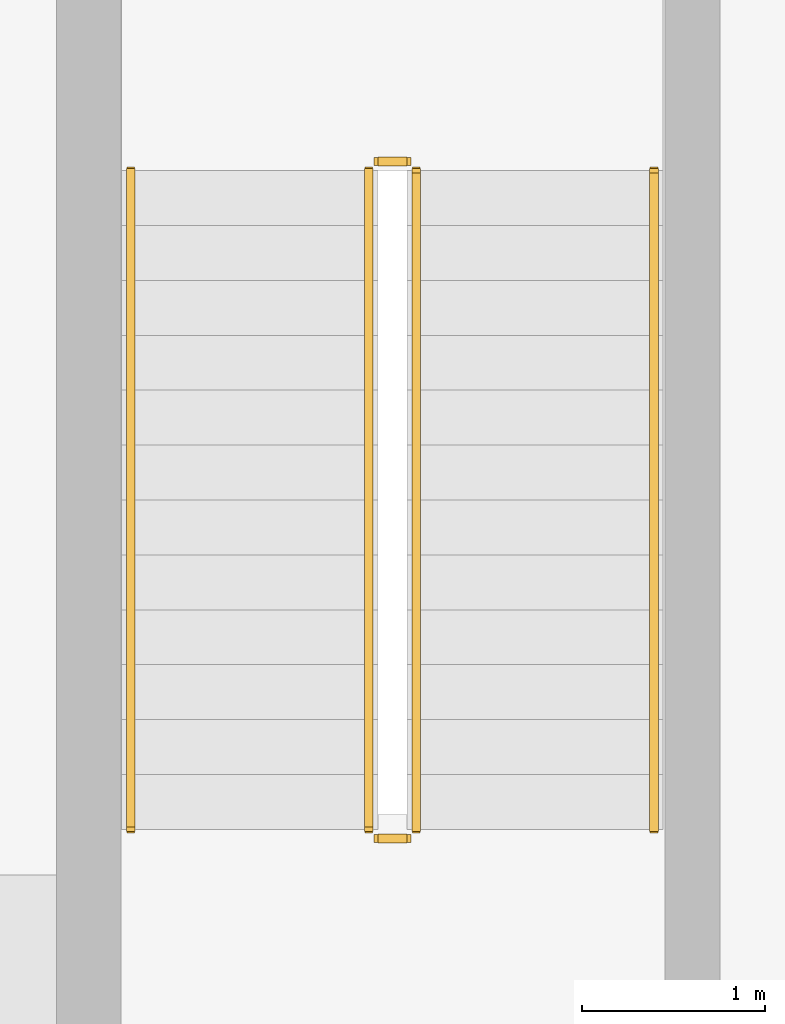
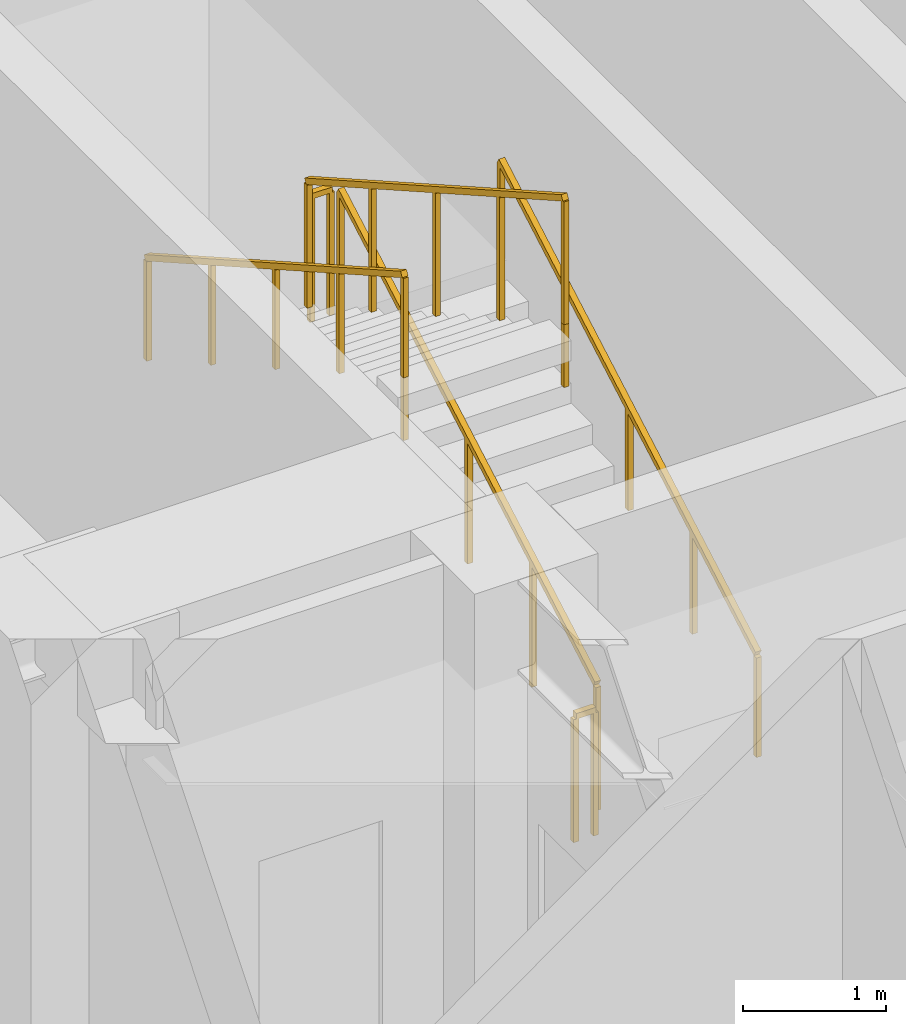
# One storey, part 14 of 21: 6 railings.
"""IFC4 building model written with IfcOpenShell, lengths in metres."""

from ifc_helpers import new_model, si_unit, direction, frame, origin, origin_2d, place, context, subcontext, project, spatial, rectangle, extrude, material, type_object, element, save


model = new_model("IFC4")

# Units and contexts
model_context = context("Model", 3, precision=1e-05, world=origin(), true_north=direction((0.0, 1.0)))
body_context = subcontext(model_context, "Body", "Model", "MODEL_VIEW")
ifc_project = project(units=[si_unit("LENGTHUNIT", "METRE"), si_unit("AREAUNIT", "SQUARE_METRE"), si_unit("VOLUMEUNIT", "CUBIC_METRE"), si_unit("PLANEANGLEUNIT", "RADIAN"), si_unit("MASSUNIT", "GRAM", prefix="KILO")], contexts=[model_context])

# Site, building, storey
site_placement = place(None, origin())
site = spatial("IfcSite", under=ifc_project, at=site_placement, CompositionType="ELEMENT")
building_placement = place(site_placement, origin())
building = spatial("IfcBuilding", under=site, at=building_placement, Name="Zulmaris Gate Convention Tower", CompositionType="ELEMENT")
storey_placement = place(building_placement, frame((0.0, 0.0, 86.93994140625)))
storey = spatial("IfcBuildingStorey", under=building, at=storey_placement, Name="L21", CompositionType="ELEMENT", Elevation=86.93994140625)

# Railings
ifc_material_1 = material(Name="Painted Galvanised Steel", Category="steel")
railing_type_1 = type_object("IfcRailingType", Name="RL-STG-1150", PredefinedType="GUARDRAIL", material=ifc_material_1)
railing_1_placement = place(storey_placement, frame((-18.2099609375, -8.199951171875, 0.169921875)))
element("IfcRailing", 1, at=railing_1_placement, inside=storey, type_object=railing_type_1, Name="L21 ST-3 stair guard 1", PredefinedType="GUARDRAIL", context=body_context, shape_type="SweptSolid", body=[
    extrude(rectangle(XDim=0.048095703125, YDim=0.048095703125, at=origin_2d()), frame((0.0, 0.0, 1.076171875), z_axis=(0.0, 0.870009531279, 0.493034902907), x_axis=(-1.0, 0.0, 0.0)), (0.0, 0.0, 1.0), 4.1376953125),
    extrude(rectangle(XDim=0.0419921875, YDim=0.0419921875, at=origin_2d()), origin(), (0.0, 0.0, 1.0), 1.052001953125),
    extrude(rectangle(XDim=0.0419921875, YDim=0.0419921875, at=origin_2d()), frame((0.0, 0.89990234375, 0.510009765625)), (0.0, 0.0, 1.0), 1.052001953125),
    extrude(rectangle(XDim=0.0419921875, YDim=0.0419921875, at=origin_2d()), frame((0.0, 1.7998046875, 1.02001953125)), (0.0, 0.0, 1.0), 1.052001953125),
    extrude(rectangle(XDim=0.0419921875, YDim=0.0419921875, at=origin_2d()), frame((0.0, 2.699951171875, 1.530029296875)), (0.0, 0.0, 1.0), 1.052001953125),
    extrude(rectangle(XDim=0.0419921875, YDim=0.0419921875, at=origin_2d()), frame((0.0, 3.599853515625, 2.0400390625)), (0.0, 0.0, 1.0), 1.052001953125),
])
railing_2_placement = place(storey_placement, frame((-18.260009765625, -4.550048828125, 2.2099609375)))
element("IfcRailing", 2, at=railing_2_placement, inside=storey, type_object=railing_type_1, Name="L21 ST-3 stair guard 2", PredefinedType="GUARDRAIL", context=body_context, shape_type="SweptSolid", body=[
    extrude(rectangle(XDim=0.048095703125, YDim=0.048095703125, at=origin_2d()), frame((0.0, 0.0, 1.076171875), z_axis=(-1.0, 0.0, 0.0), x_axis=(0.0, -1.0, 0.0)), (0.0, 0.0, 1.0), 0.159912109375),
    extrude(rectangle(XDim=0.0419921875, YDim=0.0419921875, at=origin_2d()), origin(), (0.0, 0.0, 1.0), 1.052001953125),
    extrude(rectangle(XDim=0.0419921875, YDim=0.0419921875, at=origin_2d()), frame((-0.159912109375, 0.0, 0.0)), (0.0, 0.0, 1.0), 1.052001953125),
])
railing_3_placement = place(storey_placement, frame((-18.469970703125, -4.60009765625, 2.3798828125)))
element("IfcRailing", 3, at=railing_3_placement, inside=storey, type_object=railing_type_1, Name="L21 ST-3 stair guard 3", PredefinedType="GUARDRAIL", context=body_context, shape_type="SweptSolid", body=[
    extrude(rectangle(XDim=0.048095703125, YDim=0.048095703125, at=origin_2d()), frame((0.0, 0.0, 1.076171875), z_axis=(0.0, -0.870009531279, 0.493034902907), x_axis=(1.0, 0.0, 0.0)), (0.0, 0.0, 1.0), 4.1376953125),
    extrude(rectangle(XDim=0.0419921875, YDim=0.0419921875, at=origin_2d()), origin(), (0.0, 0.0, 1.0), 1.052001953125),
    extrude(rectangle(XDim=0.0419921875, YDim=0.0419921875, at=origin_2d()), frame((0.0, -0.89990234375, 0.510009765625)), (0.0, 0.0, 1.0), 1.052001953125),
    extrude(rectangle(XDim=0.0419921875, YDim=0.0419921875, at=origin_2d()), frame((0.0, -1.7998046875, 1.02001953125)), (0.0, 0.0, 1.0), 1.052001953125),
    extrude(rectangle(XDim=0.0419921875, YDim=0.0419921875, at=origin_2d()), frame((0.0, -2.699951171875, 1.530029296875)), (0.0, 0.0, 1.0), 1.052001953125),
    extrude(rectangle(XDim=0.0419921875, YDim=0.0419921875, at=origin_2d()), frame((0.0, -3.599853515625, 2.0400390625)), (0.0, 0.0, 1.0), 1.052001953125),
])
railing_4_placement = place(storey_placement, frame((-18.260009765625, -8.25, 0.0)))
element("IfcRailing", 4, at=railing_4_placement, inside=storey, type_object=railing_type_1, Name="L21 ST-3 stair guard 4", PredefinedType="GUARDRAIL", context=body_context, shape_type="SweptSolid", body=[
    extrude(rectangle(XDim=0.048095703125, YDim=0.048095703125, at=origin_2d()), frame((0.0, 0.0, 1.076171875), z_axis=(-1.0, 0.0, 0.0), x_axis=(0.0, -1.0, 0.0)), (0.0, 0.0, 1.0), 0.159912109375),
    extrude(rectangle(XDim=0.0419921875, YDim=0.0419921875, at=origin_2d()), origin(), (0.0, 0.0, 1.0), 1.052001953125),
    extrude(rectangle(XDim=0.0419921875, YDim=0.0419921875, at=origin_2d()), frame((-0.159912109375, 0.0, 0.0)), (0.0, 0.0, 1.0), 1.052001953125),
])
ifc_material_2 = material(Name="Brushed Stainless Steel", Category="steel")
railing_type_2 = type_object("IfcRailingType", Name="RL-STH-900", PredefinedType="HANDRAIL", material=ifc_material_2)
railing_5_placement = place(storey_placement, frame((-16.909912109375, -8.199951171875, 0.169921875)))
element("IfcRailing", 5, at=railing_5_placement, inside=storey, type_object=railing_type_2, Name="L21 ST-3 stair handrail 1", PredefinedType="HANDRAIL", context=body_context, shape_type="SweptSolid", body=[
    extrude(rectangle(XDim=0.048095703125, YDim=0.048095703125, at=origin_2d()), frame((0.0, 0.0, 0.8759765625), z_axis=(0.0, 0.870009531279, 0.493034902907), x_axis=(-1.0, 0.0, 0.0)), (0.0, 0.0, 1.0), 4.1376953125),
    extrude(rectangle(XDim=0.0419921875, YDim=0.0419921875, at=origin_2d()), origin(), (0.0, 0.0, 1.0), 0.851806640625),
    extrude(rectangle(XDim=0.0419921875, YDim=0.0419921875, at=origin_2d()), frame((0.0, 0.89990234375, 0.510009765625)), (0.0, 0.0, 1.0), 0.851806640625),
    extrude(rectangle(XDim=0.0419921875, YDim=0.0419921875, at=origin_2d()), frame((0.0, 1.7998046875, 1.02001953125)), (0.0, 0.0, 1.0), 0.851806640625),
    extrude(rectangle(XDim=0.0419921875, YDim=0.0419921875, at=origin_2d()), frame((0.0, 2.699951171875, 1.530029296875)), (0.0, 0.0, 1.0), 0.851806640625),
    extrude(rectangle(XDim=0.0419921875, YDim=0.0419921875, at=origin_2d()), frame((0.0, 3.599853515625, 2.0400390625)), (0.0, 0.0, 1.0), 0.851806640625),
])
railing_6_placement = place(storey_placement, frame((-19.77001953125, -4.60009765625, 2.3798828125)))
element("IfcRailing", 6, at=railing_6_placement, inside=storey, type_object=railing_type_2, Name="L21 ST-3 stair handrail 2", PredefinedType="HANDRAIL", context=body_context, shape_type="SweptSolid", body=[
    extrude(rectangle(XDim=0.048095703125, YDim=0.048095703125, at=origin_2d()), frame((0.0, 0.0, 0.8759765625), z_axis=(0.0, -0.870009531279, 0.493034902907), x_axis=(1.0, 0.0, 0.0)), (0.0, 0.0, 1.0), 4.1376953125),
    extrude(rectangle(XDim=0.0419921875, YDim=0.0419921875, at=origin_2d()), origin(), (0.0, 0.0, 1.0), 0.851806640625),
    extrude(rectangle(XDim=0.0419921875, YDim=0.0419921875, at=origin_2d()), frame((0.0, -0.89990234375, 0.510009765625)), (0.0, 0.0, 1.0), 0.851806640625),
    extrude(rectangle(XDim=0.0419921875, YDim=0.0419921875, at=origin_2d()), frame((0.0, -1.7998046875, 1.02001953125)), (0.0, 0.0, 1.0), 0.851806640625),
    extrude(rectangle(XDim=0.0419921875, YDim=0.0419921875, at=origin_2d()), frame((0.0, -2.699951171875, 1.530029296875)), (0.0, 0.0, 1.0), 0.851806640625),
    extrude(rectangle(XDim=0.0419921875, YDim=0.0419921875, at=origin_2d()), frame((0.0, -3.599853515625, 2.0400390625)), (0.0, 0.0, 1.0), 0.851806640625),
])

save(model, "model.ifc")
